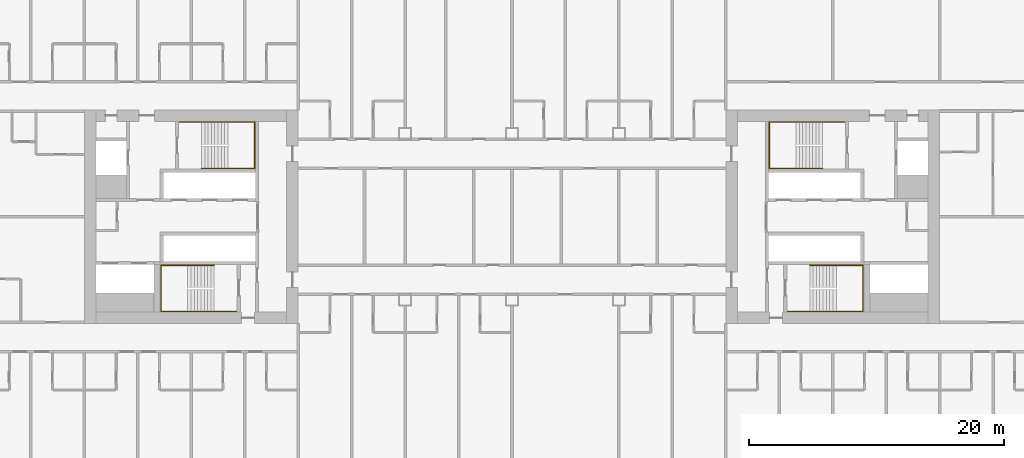
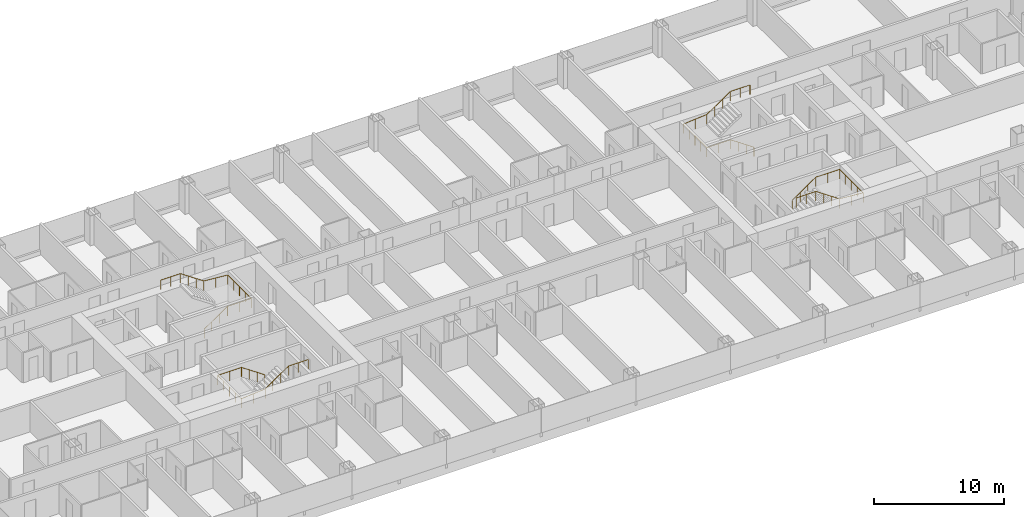
# One storey, part 29 of 29: 4 railings.
"""IFC4 building model written with IfcOpenShell, lengths in metres."""

from ifc_helpers import new_model, si_unit, direction, frame, origin, origin_2d, place, context, subcontext, project, spatial, circle, extrude, material, type_object, element, save


model = new_model("IFC4")

# Units and contexts
model_context = context("Model", 3, precision=1e-05, world=origin(), true_north=direction((0.0, 1.0)))
body_context = subcontext(model_context, "Body", "Model", "MODEL_VIEW")
ifc_project = project(units=[si_unit("LENGTHUNIT", "METRE"), si_unit("AREAUNIT", "SQUARE_METRE"), si_unit("VOLUMEUNIT", "CUBIC_METRE"), si_unit("PLANEANGLEUNIT", "RADIAN"), si_unit("MASSUNIT", "GRAM", prefix="KILO")], contexts=[model_context])

# Site, building, storey
site_placement = place(None, origin())
site = spatial("IfcSite", under=ifc_project, at=site_placement, CompositionType="ELEMENT")
building_placement = place(site_placement, origin())
building = spatial("IfcBuilding", under=site, at=building_placement, Name="Hakoniwa Tower and Hamabe Station Hall", CompositionType="ELEMENT")
storey_placement = place(building_placement, frame((0.0, 0.0, 23.0)))
storey = spatial("IfcBuildingStorey", under=building, at=storey_placement, Name="L05", CompositionType="ELEMENT", Elevation=23.0)

# Railings
ifc_material = material(Name="Stainless steel SUS304", Category="steel")
railing_type = type_object("IfcRailingType", Name="STAIR HANDRAIL 900", PredefinedType="HANDRAIL", material=ifc_material)
railing_1_placement = place(storey_placement, frame((-24.39990234375, 3.81005859375, 0.177734375)))
element("IfcRailing", 1, at=railing_1_placement, inside=storey, type_object=railing_type, Name="Handrail ST-1 L05 1", PredefinedType="HANDRAIL", context=body_context, shape_type="SweptSolid", body=[
    extrude(circle(Radius=0.02392578125, at=origin_2d()), frame((0.0, 0.0, 0.8759765625), z_axis=(0.825433201882, 0.0, 0.564499804456), x_axis=(0.0, 1.0, 0.0)), (0.0, 0.0, 1.0), 2.519775390625),
    extrude(circle(Radius=0.02392578125, at=origin_2d()), frame((2.079833984375, 0.0, 2.29833984375), z_axis=(1.0, 0.0, 0.0), x_axis=(0.0, 1.0, 0.0)), (0.0, 0.0, 1.0), 2.110107421875),
    extrude(circle(Radius=0.02392578125, at=origin_2d()), frame((4.18994140625, 0.0, 2.29833984375), z_axis=(0.0, 1.0, 0.0), x_axis=(-1.0, 0.0, 0.0)), (0.0, 0.0, 1.0), 3.6298828125),
    extrude(circle(Radius=0.02392578125, at=origin_2d()), frame((4.18994140625, 3.6298828125, 2.29833984375), z_axis=(-0.996471417081, 0.0, 0.083932800143), x_axis=(0.0, -1.0, 0.0)), (0.0, 0.0, 1.0), 2.11767578125),
    extrude(circle(Radius=0.02392578125, at=origin_2d()), frame((2.079833984375, 3.6298828125, 2.47607421875), z_axis=(-0.825478349766, 0.0, 0.564433781827), x_axis=(0.0, -1.0, 0.0)), (0.0, 0.0, 1.0), 2.51953125),
    extrude(circle(Radius=0.02392578125, at=origin_2d()), frame((0.0, 3.6298828125, 3.89794921875), z_axis=(-1.0, 0.0, 0.0), x_axis=(0.0, -1.0, 0.0)), (0.0, 0.0, 1.0), 1.739990234375),
    extrude(circle(Radius=0.02099609375, at=origin_2d()), origin(), (0.0, 0.0, 1.0), 0.851806640625),
    extrude(circle(Radius=0.02099609375, at=origin_2d()), frame((0.693359375, 0.0, 0.47412109375)), (0.0, 0.0, 1.0), 0.851806640625),
    extrude(circle(Radius=0.02099609375, at=origin_2d()), frame((1.386474609375, 0.0, 0.9482421875)), (0.0, 0.0, 1.0), 0.851806640625),
    extrude(circle(Radius=0.02099609375, at=origin_2d()), frame((2.079833984375, 0.0, 1.42236328125)), (0.0, 0.0, 1.0), 0.851806640625),
    extrude(circle(Radius=0.02099609375, at=origin_2d()), frame((3.134765625, 0.0, 1.42236328125)), (0.0, 0.0, 1.0), 0.851806640625),
    extrude(circle(Radius=0.02099609375, at=origin_2d()), frame((4.18994140625, 0.0, 1.42236328125)), (0.0, 0.0, 1.0), 0.851806640625),
    extrude(circle(Radius=0.02099609375, at=origin_2d()), frame((4.18994140625, 0.907470703125, 1.42236328125)), (0.0, 0.0, 1.0), 0.851806640625),
    extrude(circle(Radius=0.02099609375, at=origin_2d()), frame((4.18994140625, 1.81494140625, 1.42236328125)), (0.0, 0.0, 1.0), 0.851806640625),
    extrude(circle(Radius=0.02099609375, at=origin_2d()), frame((4.18994140625, 2.722412109375, 1.42236328125)), (0.0, 0.0, 1.0), 0.851806640625),
    extrude(circle(Radius=0.02099609375, at=origin_2d()), frame((4.18994140625, 3.6298828125, 1.42236328125)), (0.0, 0.0, 1.0), 0.851806640625),
    extrude(circle(Radius=0.02099609375, at=origin_2d()), frame((3.134765625, 3.6298828125, 1.51123046875)), (0.0, 0.0, 1.0), 0.851806640625),
    extrude(circle(Radius=0.02099609375, at=origin_2d()), frame((2.079833984375, 3.6298828125, 1.60009765625)), (0.0, 0.0, 1.0), 0.851806640625),
    extrude(circle(Radius=0.02099609375, at=origin_2d()), frame((1.386474609375, 3.6298828125, 2.07421875)), (0.0, 0.0, 1.0), 0.851806640625),
    extrude(circle(Radius=0.02099609375, at=origin_2d()), frame((0.693359375, 3.6298828125, 2.548095703125)), (0.0, 0.0, 1.0), 0.851806640625),
    extrude(circle(Radius=0.02099609375, at=origin_2d()), frame((0.0, 3.6298828125, 3.022216796875)), (0.0, 0.0, 1.0), 0.851806640625),
    extrude(circle(Radius=0.02099609375, at=origin_2d()), frame((-0.8701171875, 3.6298828125, 3.022216796875)), (0.0, 0.0, 1.0), 0.851806640625),
    extrude(circle(Radius=0.02099609375, at=origin_2d()), frame((-1.739990234375, 3.6298828125, 3.022216796875)), (0.0, 0.0, 1.0), 0.851806640625),
])
railing_2_placement = place(storey_placement, frame((-23.39990234375, -3.81005859375, 0.177734375)))
element("IfcRailing", 2, at=railing_2_placement, inside=storey, type_object=railing_type, Name="Handrail ST-2 L05 1", PredefinedType="HANDRAIL", context=body_context, shape_type="SweptSolid", body=[
    extrude(circle(Radius=0.02392578125, at=origin_2d()), frame((0.0, 0.0, 0.8759765625), z_axis=(-0.825464074169, 0.0, 0.564454659168), x_axis=(0.0, -1.0, 0.0)), (0.0, 0.0, 1.0), 2.519775390625),
    extrude(circle(Radius=0.02392578125, at=origin_2d()), frame((-2.080078125, 0.0, 2.29833984375), z_axis=(-1.0, 0.0, 0.0), x_axis=(0.0, -1.0, 0.0)), (0.0, 0.0, 1.0), 2.110107421875),
    extrude(circle(Radius=0.02392578125, at=origin_2d()), frame((-4.190185546875, 0.0, 2.29833984375), z_axis=(0.0, -1.0, 0.0), x_axis=(1.0, 0.0, 0.0)), (0.0, 0.0, 1.0), 3.6298828125),
    extrude(circle(Radius=0.02392578125, at=origin_2d()), frame((-4.190185546875, -3.6298828125, 2.29833984375), z_axis=(0.996471417081, 0.0, 0.083932800143), x_axis=(0.0, 1.0, 0.0)), (0.0, 0.0, 1.0), 2.11767578125),
    extrude(circle(Radius=0.02392578125, at=origin_2d()), frame((-2.080078125, -3.6298828125, 2.47607421875), z_axis=(0.82550921652, 0.0, 0.564388636881), x_axis=(0.0, 1.0, 0.0)), (0.0, 0.0, 1.0), 2.519775390625),
    extrude(circle(Radius=0.02392578125, at=origin_2d()), frame((0.0, -3.6298828125, 3.89794921875), z_axis=(1.0, 0.0, 0.0), x_axis=(0.0, 1.0, 0.0)), (0.0, 0.0, 1.0), 1.739990234375),
    extrude(circle(Radius=0.02099609375, at=origin_2d()), origin(), (0.0, 0.0, 1.0), 0.851806640625),
    extrude(circle(Radius=0.02099609375, at=origin_2d()), frame((-0.693359375, 0.0, 0.47412109375)), (0.0, 0.0, 1.0), 0.851806640625),
    extrude(circle(Radius=0.02099609375, at=origin_2d()), frame((-1.38671875, 0.0, 0.9482421875)), (0.0, 0.0, 1.0), 0.851806640625),
    extrude(circle(Radius=0.02099609375, at=origin_2d()), frame((-2.080078125, 0.0, 1.42236328125)), (0.0, 0.0, 1.0), 0.851806640625),
    extrude(circle(Radius=0.02099609375, at=origin_2d()), frame((-3.13525390625, 0.0, 1.42236328125)), (0.0, 0.0, 1.0), 0.851806640625),
    extrude(circle(Radius=0.02099609375, at=origin_2d()), frame((-4.190185546875, 0.0, 1.42236328125)), (0.0, 0.0, 1.0), 0.851806640625),
    extrude(circle(Radius=0.02099609375, at=origin_2d()), frame((-4.190185546875, -0.907470703125, 1.42236328125)), (0.0, 0.0, 1.0), 0.851806640625),
    extrude(circle(Radius=0.02099609375, at=origin_2d()), frame((-4.190185546875, -1.81494140625, 1.42236328125)), (0.0, 0.0, 1.0), 0.851806640625),
    extrude(circle(Radius=0.02099609375, at=origin_2d()), frame((-4.190185546875, -2.722412109375, 1.42236328125)), (0.0, 0.0, 1.0), 0.851806640625),
    extrude(circle(Radius=0.02099609375, at=origin_2d()), frame((-4.190185546875, -3.6298828125, 1.42236328125)), (0.0, 0.0, 1.0), 0.851806640625),
    extrude(circle(Radius=0.02099609375, at=origin_2d()), frame((-3.13525390625, -3.6298828125, 1.51123046875)), (0.0, 0.0, 1.0), 0.851806640625),
    extrude(circle(Radius=0.02099609375, at=origin_2d()), frame((-2.080078125, -3.6298828125, 1.60009765625)), (0.0, 0.0, 1.0), 0.851806640625),
    extrude(circle(Radius=0.02099609375, at=origin_2d()), frame((-1.38671875, -3.6298828125, 2.07421875)), (0.0, 0.0, 1.0), 0.851806640625),
    extrude(circle(Radius=0.02099609375, at=origin_2d()), frame((-0.693359375, -3.6298828125, 2.548095703125)), (0.0, 0.0, 1.0), 0.851806640625),
    extrude(circle(Radius=0.02099609375, at=origin_2d()), frame((0.0, -3.6298828125, 3.022216796875)), (0.0, 0.0, 1.0), 0.851806640625),
    extrude(circle(Radius=0.02099609375, at=origin_2d()), frame((0.8701171875, -3.6298828125, 3.022216796875)), (0.0, 0.0, 1.0), 0.851806640625),
    extrude(circle(Radius=0.02099609375, at=origin_2d()), frame((1.739990234375, -3.6298828125, 3.022216796875)), (0.0, 0.0, 1.0), 0.851806640625),
])
railing_3_placement = place(storey_placement, frame((24.39990234375, 3.81005859375, 0.177734375)))
element("IfcRailing", 3, at=railing_3_placement, inside=storey, type_object=railing_type, Name="Handrail ST-3 L05 1", PredefinedType="HANDRAIL", context=body_context, shape_type="SweptSolid", body=[
    extrude(circle(Radius=0.02392578125, at=origin_2d()), frame((0.0, 0.0, 0.8759765625), z_axis=(-0.825433201882, 0.0, 0.564499804456), x_axis=(0.0, -1.0, 0.0)), (0.0, 0.0, 1.0), 2.519775390625),
    extrude(circle(Radius=0.02392578125, at=origin_2d()), frame((-2.079833984375, 0.0, 2.29833984375), z_axis=(-1.0, 0.0, 0.0), x_axis=(0.0, -1.0, 0.0)), (0.0, 0.0, 1.0), 2.110107421875),
    extrude(circle(Radius=0.02392578125, at=origin_2d()), frame((-4.18994140625, 0.0, 2.29833984375), z_axis=(0.0, 1.0, 0.0), x_axis=(-1.0, 0.0, 0.0)), (0.0, 0.0, 1.0), 3.6298828125),
    extrude(circle(Radius=0.02392578125, at=origin_2d()), frame((-4.18994140625, 3.6298828125, 2.29833984375), z_axis=(0.996471417081, 0.0, 0.083932800143), x_axis=(0.0, 1.0, 0.0)), (0.0, 0.0, 1.0), 2.11767578125),
    extrude(circle(Radius=0.02392578125, at=origin_2d()), frame((-2.079833984375, 3.6298828125, 2.47607421875), z_axis=(0.825478349766, 0.0, 0.564433781827), x_axis=(0.0, 1.0, 0.0)), (0.0, 0.0, 1.0), 2.51953125),
    extrude(circle(Radius=0.02392578125, at=origin_2d()), frame((0.0, 3.6298828125, 3.89794921875), z_axis=(1.0, 0.0, 0.0), x_axis=(0.0, 1.0, 0.0)), (0.0, 0.0, 1.0), 1.739990234375),
    extrude(circle(Radius=0.02099609375, at=origin_2d()), origin(), (0.0, 0.0, 1.0), 0.851806640625),
    extrude(circle(Radius=0.02099609375, at=origin_2d()), frame((-0.693359375, 0.0, 0.47412109375)), (0.0, 0.0, 1.0), 0.851806640625),
    extrude(circle(Radius=0.02099609375, at=origin_2d()), frame((-1.386474609375, 0.0, 0.9482421875)), (0.0, 0.0, 1.0), 0.851806640625),
    extrude(circle(Radius=0.02099609375, at=origin_2d()), frame((-2.079833984375, 0.0, 1.42236328125)), (0.0, 0.0, 1.0), 0.851806640625),
    extrude(circle(Radius=0.02099609375, at=origin_2d()), frame((-3.134765625, 0.0, 1.42236328125)), (0.0, 0.0, 1.0), 0.851806640625),
    extrude(circle(Radius=0.02099609375, at=origin_2d()), frame((-4.18994140625, 0.0, 1.42236328125)), (0.0, 0.0, 1.0), 0.851806640625),
    extrude(circle(Radius=0.02099609375, at=origin_2d()), frame((-4.18994140625, 0.907470703125, 1.42236328125)), (0.0, 0.0, 1.0), 0.851806640625),
    extrude(circle(Radius=0.02099609375, at=origin_2d()), frame((-4.18994140625, 1.81494140625, 1.42236328125)), (0.0, 0.0, 1.0), 0.851806640625),
    extrude(circle(Radius=0.02099609375, at=origin_2d()), frame((-4.18994140625, 2.722412109375, 1.42236328125)), (0.0, 0.0, 1.0), 0.851806640625),
    extrude(circle(Radius=0.02099609375, at=origin_2d()), frame((-4.18994140625, 3.6298828125, 1.42236328125)), (0.0, 0.0, 1.0), 0.851806640625),
    extrude(circle(Radius=0.02099609375, at=origin_2d()), frame((-3.134765625, 3.6298828125, 1.51123046875)), (0.0, 0.0, 1.0), 0.851806640625),
    extrude(circle(Radius=0.02099609375, at=origin_2d()), frame((-2.079833984375, 3.6298828125, 1.60009765625)), (0.0, 0.0, 1.0), 0.851806640625),
    extrude(circle(Radius=0.02099609375, at=origin_2d()), frame((-1.386474609375, 3.6298828125, 2.07421875)), (0.0, 0.0, 1.0), 0.851806640625),
    extrude(circle(Radius=0.02099609375, at=origin_2d()), frame((-0.693359375, 3.6298828125, 2.548095703125)), (0.0, 0.0, 1.0), 0.851806640625),
    extrude(circle(Radius=0.02099609375, at=origin_2d()), frame((0.0, 3.6298828125, 3.022216796875)), (0.0, 0.0, 1.0), 0.851806640625),
    extrude(circle(Radius=0.02099609375, at=origin_2d()), frame((0.8701171875, 3.6298828125, 3.022216796875)), (0.0, 0.0, 1.0), 0.851806640625),
    extrude(circle(Radius=0.02099609375, at=origin_2d()), frame((1.739990234375, 3.6298828125, 3.022216796875)), (0.0, 0.0, 1.0), 0.851806640625),
])
railing_4_placement = place(storey_placement, frame((23.39990234375, -3.81005859375, 0.177734375)))
element("IfcRailing", 4, at=railing_4_placement, inside=storey, type_object=railing_type, Name="Handrail ST-4 L05 1", PredefinedType="HANDRAIL", context=body_context, shape_type="SweptSolid", body=[
    extrude(circle(Radius=0.02392578125, at=origin_2d()), frame((0.0, 0.0, 0.8759765625), z_axis=(0.825464074169, 0.0, 0.564454659168), x_axis=(0.0, 1.0, 0.0)), (0.0, 0.0, 1.0), 2.519775390625),
    extrude(circle(Radius=0.02392578125, at=origin_2d()), frame((2.080078125, 0.0, 2.29833984375), z_axis=(1.0, 0.0, 0.0), x_axis=(0.0, 1.0, 0.0)), (0.0, 0.0, 1.0), 2.110107421875),
    extrude(circle(Radius=0.02392578125, at=origin_2d()), frame((4.190185546875, 0.0, 2.29833984375), z_axis=(0.0, -1.0, 0.0), x_axis=(1.0, 0.0, 0.0)), (0.0, 0.0, 1.0), 3.6298828125),
    extrude(circle(Radius=0.02392578125, at=origin_2d()), frame((4.190185546875, -3.6298828125, 2.29833984375), z_axis=(-0.996471417081, 0.0, 0.083932800143), x_axis=(0.0, -1.0, 0.0)), (0.0, 0.0, 1.0), 2.11767578125),
    extrude(circle(Radius=0.02392578125, at=origin_2d()), frame((2.080078125, -3.6298828125, 2.47607421875), z_axis=(-0.82550921652, 0.0, 0.564388636881), x_axis=(0.0, -1.0, 0.0)), (0.0, 0.0, 1.0), 2.519775390625),
    extrude(circle(Radius=0.02392578125, at=origin_2d()), frame((0.0, -3.6298828125, 3.89794921875), z_axis=(-1.0, 0.0, 0.0), x_axis=(0.0, -1.0, 0.0)), (0.0, 0.0, 1.0), 1.739990234375),
    extrude(circle(Radius=0.02099609375, at=origin_2d()), origin(), (0.0, 0.0, 1.0), 0.851806640625),
    extrude(circle(Radius=0.02099609375, at=origin_2d()), frame((0.693359375, 0.0, 0.47412109375)), (0.0, 0.0, 1.0), 0.851806640625),
    extrude(circle(Radius=0.02099609375, at=origin_2d()), frame((1.38671875, 0.0, 0.9482421875)), (0.0, 0.0, 1.0), 0.851806640625),
    extrude(circle(Radius=0.02099609375, at=origin_2d()), frame((2.080078125, 0.0, 1.42236328125)), (0.0, 0.0, 1.0), 0.851806640625),
    extrude(circle(Radius=0.02099609375, at=origin_2d()), frame((3.13525390625, 0.0, 1.42236328125)), (0.0, 0.0, 1.0), 0.851806640625),
    extrude(circle(Radius=0.02099609375, at=origin_2d()), frame((4.190185546875, 0.0, 1.42236328125)), (0.0, 0.0, 1.0), 0.851806640625),
    extrude(circle(Radius=0.02099609375, at=origin_2d()), frame((4.190185546875, -0.907470703125, 1.42236328125)), (0.0, 0.0, 1.0), 0.851806640625),
    extrude(circle(Radius=0.02099609375, at=origin_2d()), frame((4.190185546875, -1.81494140625, 1.42236328125)), (0.0, 0.0, 1.0), 0.851806640625),
    extrude(circle(Radius=0.02099609375, at=origin_2d()), frame((4.190185546875, -2.722412109375, 1.42236328125)), (0.0, 0.0, 1.0), 0.851806640625),
    extrude(circle(Radius=0.02099609375, at=origin_2d()), frame((4.190185546875, -3.6298828125, 1.42236328125)), (0.0, 0.0, 1.0), 0.851806640625),
    extrude(circle(Radius=0.02099609375, at=origin_2d()), frame((3.13525390625, -3.6298828125, 1.51123046875)), (0.0, 0.0, 1.0), 0.851806640625),
    extrude(circle(Radius=0.02099609375, at=origin_2d()), frame((2.080078125, -3.6298828125, 1.60009765625)), (0.0, 0.0, 1.0), 0.851806640625),
    extrude(circle(Radius=0.02099609375, at=origin_2d()), frame((1.38671875, -3.6298828125, 2.07421875)), (0.0, 0.0, 1.0), 0.851806640625),
    extrude(circle(Radius=0.02099609375, at=origin_2d()), frame((0.693359375, -3.6298828125, 2.548095703125)), (0.0, 0.0, 1.0), 0.851806640625),
    extrude(circle(Radius=0.02099609375, at=origin_2d()), frame((0.0, -3.6298828125, 3.022216796875)), (0.0, 0.0, 1.0), 0.851806640625),
    extrude(circle(Radius=0.02099609375, at=origin_2d()), frame((-0.8701171875, -3.6298828125, 3.022216796875)), (0.0, 0.0, 1.0), 0.851806640625),
    extrude(circle(Radius=0.02099609375, at=origin_2d()), frame((-1.739990234375, -3.6298828125, 3.022216796875)), (0.0, 0.0, 1.0), 0.851806640625),
])

save(model, "model.ifc")
